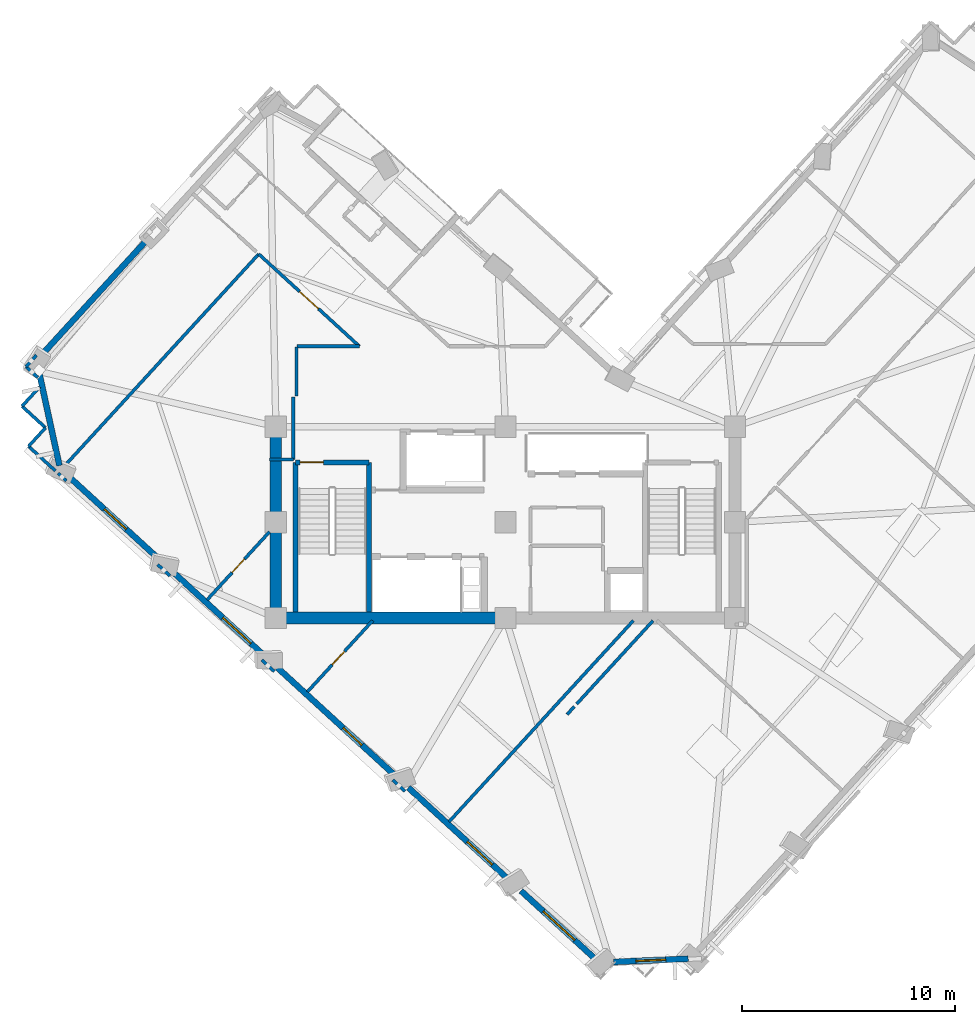
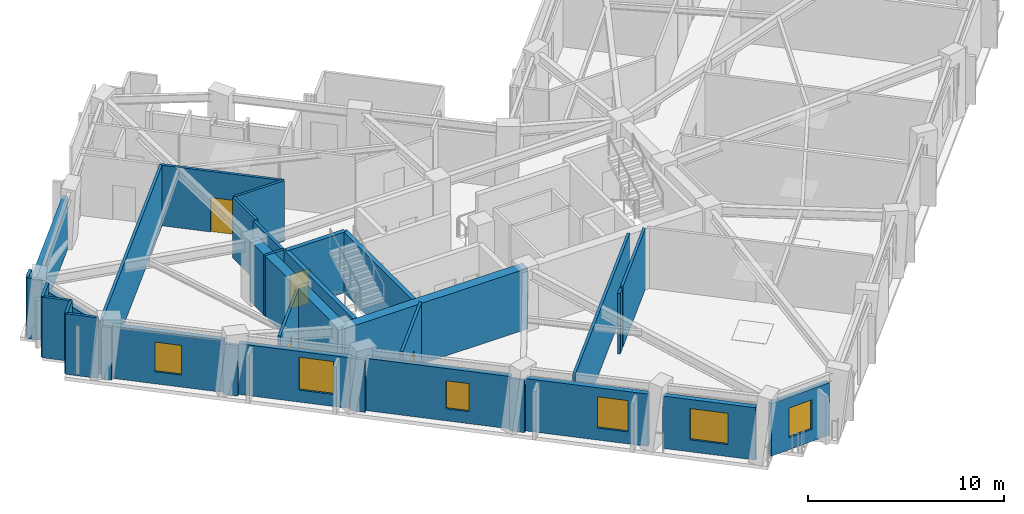
# One storey, part 4 of 12: 34 walls, 6 windows, 4 doors, 10 openings.
"""IFC4 building model written with IfcOpenShell, lengths in metres."""

from ifc_helpers import new_model, si_unit, direction, frame, frame_2d, origin, place, context, subcontext, project, spatial, rectangle, extrude, material, layer, layer_set, type_object, element, fill, save


model = new_model("IFC4")

# Units and contexts
model_context = context("Model", 3, precision=1e-05, world=origin(), true_north=direction((0.0, 1.0)))
body_context = subcontext(model_context, "Body", "Model", "MODEL_VIEW")
ifc_project = project(units=[si_unit("LENGTHUNIT", "METRE"), si_unit("AREAUNIT", "SQUARE_METRE"), si_unit("VOLUMEUNIT", "CUBIC_METRE"), si_unit("PLANEANGLEUNIT", "RADIAN"), si_unit("MASSUNIT", "GRAM", prefix="KILO")], contexts=[model_context])

# Site, building, storey
site_placement = place(None, origin())
site = spatial("IfcSite", under=ifc_project, at=site_placement, CompositionType="ELEMENT")
building_placement = place(site_placement, origin())
building = spatial("IfcBuilding", under=site, at=building_placement, Name="Gaonmaruhae Medical Tower", CompositionType="ELEMENT")
storey_placement = place(building_placement, frame((0.0, 0.0, 227.199951171875)))
storey = spatial("IfcBuildingStorey", under=building, at=storey_placement, Name="L54", CompositionType="ELEMENT", Elevation=227.199951171875)

# Walls
ifc_material_1 = material(Name="Concrete C50/60", Category="concrete")
ifc_layer_1 = layer(ifc_material_1, 0.550048828125)
ifc_layer_set_1 = layer_set([ifc_layer_1], Name="Concrete C50/60")
wall_type_1 = type_object("IfcWallType", Name="CW-550 Mid-High Core Shear Wall", PredefinedType="SHEAR", material=ifc_layer_set_1)
wall_1_placement = place(storey_placement, frame((14.0, 7.800048828125, 0.0), z_axis=(0.0, 0.0, 1.0), x_axis=(1.0, 0.0, 0.0)))
element("IfcWall", 1, at=wall_1_placement, inside=storey, type_object=wall_type_1, Name="L54 Core Shear Wall CSW-S1", PredefinedType="SHEAR", context=body_context, shape_type="SweptSolid", body=[
    extrude(rectangle(XDim=10.800048828125, YDim=0.550048828125, at=frame_2d((5.39990234375, 0.0))), origin(), (0.0, 0.0, 1.0), 3.780029296875),
])
wall_2_placement = place(storey_placement, frame((14.0, 16.800048828125, 0.0), z_axis=(0.0, 0.0, 1.0), x_axis=(0.0, -1.0, 0.0)))
element("IfcWall", 2, at=wall_2_placement, inside=storey, type_object=wall_type_1, Name="L54 Core Shear Wall CSW-W1", PredefinedType="SHEAR", context=body_context, shape_type="SweptSolid", body=[
    extrude(rectangle(XDim=9.0, YDim=0.550048828125, at=frame_2d((4.5, 0.0))), origin(), (0.0, 0.0, 1.0), 3.780029296875),
])
ifc_material_2 = material(Name="Precast concrete C45/55", Category="concrete")
ifc_layer_2 = layer(ifc_material_2, 0.280029296875)
ifc_layer_set_2 = layer_set([ifc_layer_2], Name="Precast concrete C45/55")
wall_type_2 = type_object("IfcWallType", Name="EW-280 Upper Precast Masonry-Frame Facade Wall", PredefinedType="SOLIDWALL", material=ifc_layer_set_2)
wall_3_placement = place(storey_placement, frame((2.864501953125, 20.047607421875, 0.0), z_axis=(0.0, 0.0, 1.0), x_axis=(0.675593159299, 0.73727463208, 0.0)))
element("IfcWall", 3, at=wall_3_placement, inside=storey, type_object=wall_type_2, Name="L54 Precast Masonry-Frame Wall N02-N03", PredefinedType="SOLIDWALL", context=body_context, shape_type="SweptSolid", body=[
    extrude(rectangle(XDim=7.48486328125, YDim=0.280029296875, at=frame_2d((3.742431640625, 0.0))), origin(), (0.0, 0.0, 1.0), 3.26513671875),
])
wall_4_placement = place(storey_placement, frame((3.819091796875, 14.965576171875, 0.0), z_axis=(0.0, 0.0, 1.0), x_axis=(-0.212735453501, 0.977109833552, 0.0)))
element("IfcWall", 4, at=wall_4_placement, inside=storey, type_object=wall_type_2, Name="L54 Precast Masonry-Frame Wall N03-W01", PredefinedType="SOLIDWALL", context=body_context, shape_type="SweptSolid", body=[
    extrude(rectangle(XDim=4.407958984375, YDim=0.280029296875, at=frame_2d((2.2041015625, 0.0))), origin(), (0.0, 0.0, 1.0), 3.26513671875),
])

# Wall, opening, window
wall_5_placement = place(storey_placement, frame((8.593994140625, 10.482177734375, 0.0), z_axis=(0.0, 0.0, 1.0), x_axis=(-0.73727406181, 0.675593781634, 0.0)))
wall_5 = element("IfcWall", 5, at=wall_5_placement, inside=storey, type_object=wall_type_2, Name="L54 Precast Masonry-Frame Wall W01-W02", PredefinedType="SOLIDWALL", context=body_context, shape_type="SweptSolid", body=[
    extrude(rectangle(XDim=5.830322265625, YDim=0.280029296875, at=frame_2d((2.9150390625, 0.0))), origin(), (0.0, 0.0, 1.0), 3.26513671875),
])
opening_1_placement = place(wall_5_placement, frame((2.21142578125, 0.0, 0.75)))
opening_1 = element("IfcOpeningElement", 6, at=opening_1_placement, cuts=wall_5, Name="Opening WN-03", PredefinedType="OPENING", context=body_context, shape_type="SweptSolid", body=[
    extrude(rectangle(XDim=1.39990234375, YDim=1.85009765625, at=frame_2d((0.699951171875, 0.925048828125))), frame((0.0, 0.14990234375, 0.0), z_axis=(0.0, -1.0, 0.0), x_axis=(1.0, 0.0, 0.0)), (0.0, 0.0, 1.0), 0.300048828125),
])
ifc_material_3 = material(Name="Anodised aluminium and Low-E double glazing", Category="aluminium")
window_type_1 = type_object("IfcWindowType", Name="WN-03 Isolation Ward Punched Window 1400x1850", PartitioningType="SINGLE_PANEL", PredefinedType="WINDOW", material=ifc_material_3)
window_1_placement = place(opening_1_placement, origin())
window_1 = element("IfcWindow", 7, at=window_1_placement, inside=storey, type_object=window_type_1, Name="L54 Modular Facade Window W01", OverallHeight=1.85009765625, OverallWidth=1.39990234375, PartitioningType="SINGLE_PANEL", PredefinedType="WINDOW", context=body_context, shape_type="SweptSolid", body=[
    extrude(rectangle(XDim=1.39990234375, YDim=1.85009765625, at=frame_2d((0.699951171875, 0.925048828125))), frame((0.0, 0.030029296875, 0.0), z_axis=(0.0, -1.0, 0.0), x_axis=(1.0, 0.0, 0.0)), (0.0, 0.0, 1.0), 0.06005859375),
])
fill(opening_1, window_1)

wall_6_placement = place(storey_placement, frame((13.4921875, 5.99365234375, 0.0), z_axis=(0.0, 0.0, 1.0), x_axis=(-0.73726134104, 0.675607663521, 0.0)))
wall_6 = element("IfcWall", 8, at=wall_6_placement, inside=storey, type_object=wall_type_2, Name="L54 Precast Masonry-Frame Wall W02-W03", PredefinedType="SOLIDWALL", context=body_context, shape_type="SweptSolid", body=[
    extrude(rectangle(XDim=5.860595703125, YDim=0.280029296875, at=frame_2d((2.93017578125, 0.0))), origin(), (0.0, 0.0, 1.0), 3.1650390625),
])
opening_2_placement = place(wall_6_placement, frame((0.897705078125, 0.0, 0.75)))
opening_2 = element("IfcOpeningElement", 9, at=opening_2_placement, cuts=wall_6, Name="Opening WN-04", PredefinedType="OPENING", context=body_context, shape_type="SweptSolid", body=[
    extrude(rectangle(XDim=1.800048828125, YDim=2.050048828125, at=frame_2d((0.89990234375, 1.02490234375))), frame((0.0, 0.14990234375, 0.0), z_axis=(0.0, -1.0, 0.0), x_axis=(1.0, 0.0, 0.0)), (0.0, 0.0, 1.0), 0.300048828125),
])
window_type_2 = type_object("IfcWindowType", Name="WN-04 Clinic & Consult Punched Window 1800x2050", PartitioningType="SINGLE_PANEL", PredefinedType="WINDOW", material=ifc_material_3)
window_2_placement = place(opening_2_placement, origin())
window_2 = element("IfcWindow", 10, at=window_2_placement, inside=storey, type_object=window_type_2, Name="L54 Modular Facade Window W02", OverallHeight=2.050048828125, OverallWidth=1.800048828125, PartitioningType="SINGLE_PANEL", PredefinedType="WINDOW", context=body_context, shape_type="SweptSolid", body=[
    extrude(rectangle(XDim=1.800048828125, YDim=2.050048828125, at=frame_2d((0.89990234375, 1.02490234375))), frame((0.0, 0.030029296875, 0.0), z_axis=(0.0, -1.0, 0.0), x_axis=(1.0, 0.0, 0.0)), (0.0, 0.0, 1.0), 0.06005859375),
])
fill(opening_2, window_2)

wall_7_placement = place(storey_placement, frame((19.65087890625, 0.3505859375, 0.0), z_axis=(0.0, 0.0, 1.0), x_axis=(-0.737296247066, 0.675569570113, 0.0)))
wall_7 = element("IfcWall", 11, at=wall_7_placement, inside=storey, type_object=wall_type_2, Name="L54 Precast Masonry-Frame Wall W03-W04", PredefinedType="SOLIDWALL", context=body_context, shape_type="SweptSolid", body=[
    extrude(rectangle(XDim=7.558349609375, YDim=0.280029296875, at=frame_2d((3.779296875, 0.0))), origin(), (0.0, 0.0, 1.0), 3.26513671875),
])
opening_3_placement = place(wall_7_placement, frame((2.17529296875, 0.0, 0.75)))
opening_3 = element("IfcOpeningElement", 12, at=opening_3_placement, cuts=wall_7, Name="Opening WN-05", PredefinedType="OPENING", context=body_context, shape_type="SweptSolid", body=[
    extrude(rectangle(XDim=1.199951171875, YDim=1.75, at=frame_2d((0.60009765625, 0.875))), frame((0.0, 0.14990234375, 0.0), z_axis=(0.0, -1.0, 0.0), x_axis=(1.0, 0.0, 0.0)), (0.0, 0.0, 1.0), 0.300048828125),
])
window_type_3 = type_object("IfcWindowType", Name="WN-05 Support & Staff Punched Window 1200x1750", PartitioningType="SINGLE_PANEL", PredefinedType="WINDOW", material=ifc_material_3)
window_3_placement = place(opening_3_placement, origin())
window_3 = element("IfcWindow", 13, at=window_3_placement, inside=storey, type_object=window_type_3, Name="L54 Modular Facade Window W03", OverallHeight=1.75, OverallWidth=1.199951171875, PartitioningType="SINGLE_PANEL", PredefinedType="WINDOW", context=body_context, shape_type="SweptSolid", body=[
    extrude(rectangle(XDim=1.199951171875, YDim=1.75, at=frame_2d((0.60009765625, 0.875))), frame((0.0, 0.030029296875, 0.0), z_axis=(0.0, -1.0, 0.0), x_axis=(1.0, 0.0, 0.0)), (0.0, 0.0, 1.0), 0.06005859375),
])
fill(opening_3, window_3)

wall_8_placement = place(storey_placement, frame((24.968505859375, -4.522216796875, 0.0), z_axis=(0.0, 0.0, 1.0), x_axis=(-0.737269269684, 0.675599011234, 0.0)))
wall_8 = element("IfcWall", 14, at=wall_8_placement, inside=storey, type_object=wall_type_2, Name="L54 Precast Masonry-Frame Wall W04-W05", PredefinedType="SOLIDWALL", context=body_context, shape_type="SweptSolid", body=[
    extrude(rectangle(XDim=6.425048828125, YDim=0.280029296875, at=frame_2d((3.21240234375, 0.0))), origin(), (0.0, 0.0, 1.0), 3.26513671875),
])
opening_4_placement = place(wall_8_placement, frame((1.065185546875, 0.0, 0.75)))
opening_4 = element("IfcOpeningElement", 15, at=opening_4_placement, cuts=wall_8, Name="Opening WN-01", PredefinedType="OPENING", context=body_context, shape_type="SweptSolid", body=[
    extrude(rectangle(XDim=1.60009765625, YDim=1.949951171875, at=frame_2d((0.800048828125, 0.97509765625))), frame((0.0, 0.14990234375, 0.0), z_axis=(0.0, -1.0, 0.0), x_axis=(1.0, 0.0, 0.0)), (0.0, 0.0, 1.0), 0.300048828125),
])
window_type_4 = type_object("IfcWindowType", Name="WN-01 Ward Punched Acoustic Window 1600x1950", PartitioningType="SINGLE_PANEL", PredefinedType="WINDOW", material=ifc_material_3)
window_4_placement = place(opening_4_placement, origin())
window_4 = element("IfcWindow", 16, at=window_4_placement, inside=storey, type_object=window_type_4, Name="L54 Modular Facade Window W04", OverallHeight=1.949951171875, OverallWidth=1.60009765625, PartitioningType="SINGLE_PANEL", PredefinedType="WINDOW", context=body_context, shape_type="SweptSolid", body=[
    extrude(rectangle(XDim=1.60009765625, YDim=1.949951171875, at=frame_2d((0.800048828125, 0.97509765625))), frame((0.0, 0.030029296875, 0.0), z_axis=(0.0, -1.0, 0.0), x_axis=(1.0, 0.0, 0.0)), (0.0, 0.0, 1.0), 0.06005859375),
])
fill(opening_4, window_4)

wall_9_placement = place(storey_placement, frame((29.109619140625, -8.31689453125, 0.0), z_axis=(0.0, 0.0, 1.0), x_axis=(-0.737281444327, 0.67558572502, 0.0)))
wall_9 = element("IfcWall", 17, at=wall_9_placement, inside=storey, type_object=wall_type_2, Name="L54 Precast Masonry-Frame Wall W05-W06", PredefinedType="SOLIDWALL", context=body_context, shape_type="SweptSolid", body=[
    extrude(rectangle(XDim=4.85546875, YDim=0.280029296875, at=frame_2d((2.427734375, 0.0))), origin(), (0.0, 0.0, 1.0), 3.26513671875),
])
opening_5_placement = place(wall_9_placement, frame((1.4326171875, 0.0, 0.75)))
opening_5 = element("IfcOpeningElement", 18, at=opening_5_placement, cuts=wall_9, Name="Opening WN-02", PredefinedType="OPENING", context=body_context, shape_type="SweptSolid", body=[
    extrude(rectangle(XDim=2.0, YDim=1.949951171875, at=frame_2d((1.0, 0.97509765625))), frame((0.0, 0.14990234375, 0.0), z_axis=(0.0, -1.0, 0.0), x_axis=(1.0, 0.0, 0.0)), (0.0, 0.0, 1.0), 0.300048828125),
])
window_type_5 = type_object("IfcWindowType", Name="WN-02 Double-Bed Ward Punched Window 2000x1950", PartitioningType="SINGLE_PANEL", PredefinedType="WINDOW", material=ifc_material_3)
window_5_placement = place(opening_5_placement, origin())
window_5 = element("IfcWindow", 19, at=window_5_placement, inside=storey, type_object=window_type_5, Name="L54 Modular Facade Window W05", OverallHeight=1.949951171875, OverallWidth=2.0, PartitioningType="SINGLE_PANEL", PredefinedType="WINDOW", context=body_context, shape_type="SweptSolid", body=[
    extrude(rectangle(XDim=2.0, YDim=1.949951171875, at=frame_2d((1.0, 0.97509765625))), frame((0.0, 0.030029296875, 0.0), z_axis=(0.0, -1.0, 0.0), x_axis=(1.0, 0.0, 0.0)), (0.0, 0.0, 1.0), 0.06005859375),
])
fill(opening_5, window_5)

wall_10_placement = place(storey_placement, frame((33.396240234375, -8.226806640625, 0.0), z_axis=(0.0, 0.0, 1.0), x_axis=(-0.999048291702, -0.04361778132, 0.0)))
wall_10 = element("IfcWall", 20, at=wall_10_placement, inside=storey, type_object=wall_type_2, Name="L54 Precast Masonry-Frame Wall W06-S01", PredefinedType="SOLIDWALL", context=body_context, shape_type="SweptSolid", body=[
    extrude(rectangle(XDim=3.520751953125, YDim=0.280029296875, at=frame_2d((1.76025390625, 0.0))), origin(), (0.0, 0.0, 1.0), 3.26513671875),
])
opening_6_placement = place(wall_10_placement, frame((1.059814453125, 0.0, 0.75)))
opening_6 = element("IfcOpeningElement", 21, at=opening_6_placement, cuts=wall_10, Name="Opening WN-03", PredefinedType="OPENING", context=body_context, shape_type="SweptSolid", body=[
    extrude(rectangle(XDim=1.39990234375, YDim=1.85009765625, at=frame_2d((0.699951171875, 0.925048828125))), frame((0.0, 0.14990234375, 0.0), z_axis=(0.0, -1.0, 0.0), x_axis=(1.0, 0.0, 0.0)), (0.0, 0.0, 1.0), 0.300048828125),
])
window_6_placement = place(opening_6_placement, origin())
window_6 = element("IfcWindow", 22, at=window_6_placement, inside=storey, type_object=window_type_1, Name="L54 Modular Facade Window W06", OverallHeight=1.85009765625, OverallWidth=1.39990234375, PartitioningType="SINGLE_PANEL", PredefinedType="WINDOW", context=body_context, shape_type="SweptSolid", body=[
    extrude(rectangle(XDim=1.39990234375, YDim=1.85009765625, at=frame_2d((0.699951171875, 0.925048828125))), frame((0.0, 0.030029296875, 0.0), z_axis=(0.0, -1.0, 0.0), x_axis=(1.0, 0.0, 0.0)), (0.0, 0.0, 1.0), 0.06005859375),
])
fill(opening_6, window_6)

# Walls
ifc_material_4 = material(Name="Gypsum board partition", Category="gypsum")
ifc_layer_3 = layer(ifc_material_4, 0.14990234375)
ifc_layer_set_3 = layer_set([ifc_layer_3], Name="Gypsum board partition")
wall_type_3 = type_object("IfcWallType", Name="PW-150 Rated Clinical Corridor Partition", PredefinedType="PARTITIONING", material=ifc_layer_set_3)
wall_11_placement = place(storey_placement, frame((28.14892578125, 3.7529296875, 0.0), z_axis=(0.0, 0.0, 1.0), x_axis=(0.675493888576, 0.737365585376, 0.0)))
element("IfcWall", 23, at=wall_11_placement, inside=storey, type_object=wall_type_3, Name="L54 Interior Partition L54-SUP02-9", PredefinedType="PARTITIONING", context=body_context, shape_type="SweptSolid", body=[
    extrude(rectangle(XDim=5.319091796875, YDim=0.14990234375, at=frame_2d((2.65966796875, 0.0))), origin(), (0.0, 0.0, 1.0), 3.780029296875),
])
wall_12_placement = place(storey_placement, frame((20.075927734375, -0.35107421875, 0.0), z_axis=(0.0, 0.0, 1.0), x_axis=(-0.737424283602, 0.67542980831, 0.0)))
element("IfcWall", 24, at=wall_12_placement, inside=storey, type_object=wall_type_3, Name="L54 Interior Partition L54-WOF07-27", PredefinedType="PARTITIONING", context=body_context, shape_type="SweptSolid", body=[
    extrude(rectangle(XDim=0.78759765625, YDim=0.14990234375, at=frame_2d((0.393798828125, 0.0))), origin(), (0.0, 0.0, 1.0), 3.26513671875),
])

# Wall, opening, door
wall_13_placement = place(storey_placement, frame((15.48291015625, 4.324951171875, 0.0), z_axis=(0.0, 0.0, 1.0), x_axis=(0.675505602281, 0.737354854387, 0.0)))
wall_13 = element("IfcWall", 25, at=wall_13_placement, inside=storey, type_object=wall_type_3, Name="L54 Interior Partition L54-WOF07-28", PredefinedType="PARTITIONING", context=body_context, shape_type="SweptSolid", body=[
    extrude(rectangle(XDim=4.54345703125, YDim=0.14990234375, at=frame_2d((2.271728515625, 0.0))), origin(), (0.0, 0.0, 1.0), 3.780029296875),
])
opening_7_placement = place(wall_13_placement, frame((1.72314453125, 0.0, 0.0)))
opening_7 = element("IfcOpeningElement", 26, at=opening_7_placement, cuts=wall_13, Name="Opening AD-01", PredefinedType="OPENING", context=body_context, shape_type="SweptSolid", body=[
    extrude(rectangle(XDim=0.860107421875, YDim=2.06005859375, at=frame_2d((0.43017578125, 1.030029296875))), frame((0.0, 0.0849609375, 0.0), z_axis=(0.0, -1.0, 0.0), x_axis=(1.0, 0.0, 0.0)), (0.0, 0.0, 1.0), 0.169921875),
])
ifc_material_5 = material(Name="Powder-coated steel access door", Category="steel")
door_type_1 = type_object("IfcDoorType", Name="AD-01 Riser & Closet Access Fire Door 860x2060", OperationType="NOTDEFINED", PredefinedType="DOOR", material=ifc_material_5)
door_1_placement = place(opening_7_placement, origin())
door_1 = element("IfcDoor", 27, at=door_1_placement, inside=storey, type_object=door_type_1, Name="L54 Ward Physician Reporting Office Sliding Door", OperationType="SLIDING_TO_LEFT", OverallHeight=2.06005859375, OverallWidth=0.860107421875, PredefinedType="DOOR", context=body_context, shape_type="SweptSolid", body=[
    extrude(rectangle(XDim=0.860107421875, YDim=2.06005859375, at=frame_2d((0.43017578125, 1.030029296875))), frame((0.0, 0.02490234375, 0.0), z_axis=(0.0, -1.0, 0.0), x_axis=(1.0, 0.0, 0.0)), (0.0, 0.0, 1.0), 0.050048828125),
])
fill(opening_7, door_1)

# Walls
wall_14_placement = place(storey_placement, frame((30.81298828125, 7.675048828125, 0.0), z_axis=(0.0, 0.0, 1.0), x_axis=(-0.675559122353, -0.73730582, 0.0)))
element("IfcWall", 28, at=wall_14_placement, inside=storey, type_object=wall_type_3, Name="L54 Interior Partition L54-WOF07-29", PredefinedType="PARTITIONING", context=body_context, shape_type="SweptSolid", body=[
    extrude(rectangle(XDim=12.826416015625, YDim=0.14990234375, at=frame_2d((6.4130859375, 0.0))), origin(), (0.0, 0.0, 1.0), 3.780029296875),
])
wall_15_placement = place(storey_placement, frame((13.923095703125, 5.287109375, 0.0), z_axis=(0.0, 0.0, 1.0), x_axis=(-0.737447304221, 0.675404673879, 0.0)))
element("IfcWall", 29, at=wall_15_placement, inside=storey, type_object=wall_type_3, Name="L54 Interior Partition L54-WOF08-30", PredefinedType="PARTITIONING", context=body_context, shape_type="SweptSolid", body=[
    extrude(rectangle(XDim=0.794921875, YDim=0.14990234375, at=frame_2d((0.3974609375, 0.0))), origin(), (0.0, 0.0, 1.0), 3.26513671875),
])

# Wall, opening, door
wall_16_placement = place(storey_placement, frame((10.763916015625, 8.64990234375, 0.0), z_axis=(0.0, 0.0, 1.0), x_axis=(0.675704273742, 0.737172798228, 0.0)))
wall_16 = element("IfcWall", 30, at=wall_16_placement, inside=storey, type_object=wall_type_3, Name="L54 Interior Partition L54-WOF08-31", PredefinedType="PARTITIONING", context=body_context, shape_type="SweptSolid", body=[
    extrude(rectangle(XDim=4.34521484375, YDim=0.14990234375, at=frame_2d((2.172607421875, 0.0))), origin(), (0.0, 0.0, 1.0), 3.780029296875),
])
opening_8_placement = place(wall_16_placement, frame((1.742431640625, 0.0, 0.0)))
opening_8 = element("IfcOpeningElement", 31, at=opening_8_placement, cuts=wall_16, Name="Opening AD-01", PredefinedType="OPENING", context=body_context, shape_type="SweptSolid", body=[
    extrude(rectangle(XDim=0.860107421875, YDim=2.06005859375, at=frame_2d((0.43017578125, 1.030029296875))), frame((0.0, 0.0849609375, 0.0), z_axis=(0.0, -1.0, 0.0), x_axis=(1.0, 0.0, 0.0)), (0.0, 0.0, 1.0), 0.169921875),
])
door_2_placement = place(opening_8_placement, origin())
door_2 = element("IfcDoor", 32, at=door_2_placement, inside=storey, type_object=door_type_1, Name="L54 Ward Physician Reporting Office Sliding Door", OperationType="SLIDING_TO_LEFT", OverallHeight=2.06005859375, OverallWidth=0.860107421875, PredefinedType="DOOR", context=body_context, shape_type="SweptSolid", body=[
    extrude(rectangle(XDim=0.860107421875, YDim=2.06005859375, at=frame_2d((0.43017578125, 1.030029296875))), frame((0.0, 0.02490234375, 0.0), z_axis=(0.0, -1.0, 0.0), x_axis=(1.0, 0.0, 0.0)), (0.0, 0.0, 1.0), 0.050048828125),
])
fill(opening_8, door_2)

# Walls
wall_17_placement = place(storey_placement, frame((14.969970703125, 20.550048828125, 0.0), z_axis=(0.0, 0.0, 1.0), x_axis=(0.0, -1.0, 0.0)))
element("IfcWall", 33, at=wall_17_placement, inside=storey, type_object=wall_type_3, Name="L54 Interior Partition L54-WOF09-32", PredefinedType="PARTITIONING", context=body_context, shape_type="SweptSolid", body=[
    extrude(rectangle(XDim=2.320068359375, YDim=0.14990234375, at=frame_2d((1.16015625, 0.0))), origin(), (0.0, 0.0, 1.0), 3.780029296875),
])
wall_18_placement = place(storey_placement, frame((14.820068359375, 18.199951171875, 0.0), z_axis=(0.0, 0.0, 1.0), x_axis=(0.0, -1.0, 0.0)))
element("IfcWall", 34, at=wall_18_placement, inside=storey, type_object=wall_type_3, Name="L54 Interior Partition L54-WOF09-33", PredefinedType="PARTITIONING", context=body_context, shape_type="SweptSolid", body=[
    extrude(rectangle(XDim=2.93994140625, YDim=0.14990234375, at=frame_2d((1.469970703125, 0.0))), origin(), (0.0, 0.0, 1.0), 3.780029296875),
])
wall_19_placement = place(storey_placement, frame((14.820068359375, 15.260009765625, 0.0), z_axis=(0.0, 0.0, 1.0), x_axis=(-1.0, 0.0, 0.0)))
element("IfcWall", 35, at=wall_19_placement, inside=storey, type_object=wall_type_3, Name="L54 Interior Partition L54-WOF09-34", PredefinedType="PARTITIONING", context=body_context, shape_type="SweptSolid", body=[
    extrude(rectangle(XDim=1.1201171875, YDim=0.14990234375, at=frame_2d((0.56005859375, 0.0))), origin(), (0.0, 0.0, 1.0), 3.780029296875),
])
wall_20_placement = place(storey_placement, frame((9.01611328125, 9.782958984375, 0.0), z_axis=(0.0, 0.0, 1.0), x_axis=(-0.737722877252, 0.675103663431, 0.0)))
element("IfcWall", 36, at=wall_20_placement, inside=storey, type_object=wall_type_3, Name="L54 Interior Partition L54-WOF09-35", PredefinedType="PARTITIONING", context=body_context, shape_type="SweptSolid", body=[
    extrude(rectangle(XDim=0.78369140625, YDim=0.14990234375, at=frame_2d((0.391845703125, 0.0))), origin(), (0.0, 0.0, 1.0), 3.1650390625),
])
wall_21_placement = place(storey_placement, frame((4.139892578125, 14.2509765625, 0.0), z_axis=(0.0, 0.0, 1.0), x_axis=(-0.737211336112, 0.675662227676, 0.0)))
element("IfcWall", 37, at=wall_21_placement, inside=storey, type_object=wall_type_3, Name="L54 Interior Partition L54-WOF09-36", PredefinedType="PARTITIONING", context=body_context, shape_type="SweptSolid", body=[
    extrude(rectangle(XDim=0.531494140625, YDim=0.14990234375, at=frame_2d((0.265625, 0.0))), origin(), (0.0, 0.0, 1.0), 3.26513671875),
])
wall_22_placement = place(storey_placement, frame((3.748046875, 14.610107421875, 0.0), z_axis=(0.0, 0.0, 1.0), x_axis=(0.675576742694, 0.737289674911, 0.0)))
element("IfcWall", 38, at=wall_22_placement, inside=storey, type_object=wall_type_3, Name="L54 Interior Partition L54-WOF09-37", PredefinedType="PARTITIONING", context=body_context, shape_type="SweptSolid", body=[
    extrude(rectangle(XDim=13.980712890625, YDim=0.14990234375, at=frame_2d((6.990234375, 0.0))), origin(), (0.0, 0.0, 1.0), 3.780029296875),
])

# Wall, opening, door
wall_23_placement = place(storey_placement, frame((13.193115234375, 24.91796875, 0.0), z_axis=(0.0, 0.0, 1.0), x_axis=(0.737270925152, -0.675597204646, 0.0)))
wall_23 = element("IfcWall", 39, at=wall_23_placement, inside=storey, type_object=wall_type_3, Name="L54 Interior Partition L54-WOF09-38", PredefinedType="PARTITIONING", context=body_context, shape_type="SweptSolid", body=[
    extrude(rectangle(XDim=6.4208984375, YDim=0.14990234375, at=frame_2d((3.21044921875, 0.0))), origin(), (0.0, 0.0, 1.0), 3.780029296875),
])
opening_9_placement = place(wall_23_placement, frame((2.610595703125, 0.0, 0.0)))
opening_9 = element("IfcOpeningElement", 40, at=opening_9_placement, cuts=wall_23, Name="Opening CD-02", PredefinedType="OPENING", context=body_context, shape_type="SweptSolid", body=[
    extrude(rectangle(XDim=1.199951171875, YDim=2.14990234375, at=frame_2d((0.60009765625, 1.074951171875))), frame((0.0, 0.0849609375, 0.0), z_axis=(0.0, -1.0, 0.0), x_axis=(1.0, 0.0, 0.0)), (0.0, 0.0, 1.0), 0.169921875),
])
ifc_material_6 = material(Name="Antimicrobial laminate timber fire door", Category="wood")
door_type_2 = type_object("IfcDoorType", Name="CD-02 Clinical Treatment & Procedure Door 1200x2150", OperationType="NOTDEFINED", PredefinedType="DOOR", material=ifc_material_6)
door_3_placement = place(opening_9_placement, origin())
door_3 = element("IfcDoor", 41, at=door_3_placement, inside=storey, type_object=door_type_2, Name="L54 Ward Physician Reporting Office Door", OperationType="SINGLE_SWING_LEFT", OverallHeight=2.14990234375, OverallWidth=1.199951171875, PredefinedType="DOOR", context=body_context, shape_type="SweptSolid", body=[
    extrude(rectangle(XDim=1.199951171875, YDim=2.14990234375, at=frame_2d((0.60009765625, 1.074951171875))), frame((0.0, 0.02490234375, 0.0), z_axis=(0.0, -1.0, 0.0), x_axis=(1.0, 0.0, 0.0)), (0.0, 0.0, 1.0), 0.050048828125),
])
fill(opening_9, door_3)

# Walls
wall_24_placement = place(storey_placement, frame((17.927001953125, 20.580078125, 0.0), z_axis=(0.0, 0.0, 1.0), x_axis=(-1.0, 0.0, 0.0)))
element("IfcWall", 42, at=wall_24_placement, inside=storey, type_object=wall_type_3, Name="L54 Interior Partition L54-WOF09-39", PredefinedType="PARTITIONING", context=body_context, shape_type="SweptSolid", body=[
    extrude(rectangle(XDim=2.929931640625, YDim=0.14990234375, at=frame_2d((1.46484375, 0.0))), origin(), (0.0, 0.0, 1.0), 3.780029296875),
])
wall_25_placement = place(storey_placement, frame((2.056884765625, 17.760986328125, 0.0), z_axis=(0.0, 0.0, 1.0), x_axis=(0.676188837804, 0.736728345884, 0.0)))
element("IfcWall", 43, at=wall_25_placement, inside=storey, type_object=wall_type_3, Name="L54 Interior Partition L54-WOF10-40", PredefinedType="PARTITIONING", context=body_context, shape_type="SweptSolid", body=[
    extrude(rectangle(XDim=1.238037109375, YDim=0.14990234375, at=frame_2d((0.619140625, 0.0))), origin(), (0.0, 0.0, 1.0), 3.780029296875),
])
wall_26_placement = place(storey_placement, frame((2.798095703125, 19.116943359375, 0.0), z_axis=(0.0, 0.0, 1.0), x_axis=(-0.737681160119, 0.675149247208, 0.0)))
element("IfcWall", 44, at=wall_26_placement, inside=storey, type_object=wall_type_3, Name="L54 Interior Partition L54-WOF10-41", PredefinedType="PARTITIONING", context=body_context, shape_type="SweptSolid", body=[
    extrude(rectangle(XDim=0.74951171875, YDim=0.14990234375, at=frame_2d((0.374755859375, 0.0))), origin(), (0.0, 0.0, 1.0), 3.780029296875),
])
wall_27_placement = place(storey_placement, frame((2.2451171875, 19.623046875, 0.0), z_axis=(0.0, 0.0, 1.0), x_axis=(0.675543151001, 0.73732045349, 0.0)))
element("IfcWall", 45, at=wall_27_placement, inside=storey, type_object=wall_type_3, Name="L54 Interior Partition L54-WOF10-42", PredefinedType="PARTITIONING", context=body_context, shape_type="SweptSolid", body=[
    extrude(rectangle(XDim=0.731201171875, YDim=0.14990234375, at=frame_2d((0.36572265625, 0.0))), origin(), (0.0, 0.0, 1.0), 3.780029296875),
])
wall_28_placement = place(storey_placement, frame((3.6298828125, 14.718994140625, 0.0), z_axis=(0.0, 0.0, 1.0), x_axis=(-0.737337385288, 0.675524670354, 0.0)))
element("IfcWall", 46, at=wall_28_placement, inside=storey, type_object=wall_type_3, Name="L54 Interior Partition L54-WOF10-45", PredefinedType="PARTITIONING", context=body_context, shape_type="SweptSolid", body=[
    extrude(rectangle(XDim=1.714111328125, YDim=0.14990234375, at=frame_2d((0.85693359375, 0.0))), origin(), (0.0, 0.0, 1.0), 3.780029296875),
])
wall_29_placement = place(storey_placement, frame((2.365966796875, 15.876953125, 0.0), z_axis=(0.0, 0.0, 1.0), x_axis=(0.675499749295, 0.737360216382, 0.0)))
element("IfcWall", 47, at=wall_29_placement, inside=storey, type_object=wall_type_3, Name="L54 Interior Partition L54-WOF10-46", PredefinedType="PARTITIONING", context=body_context, shape_type="SweptSolid", body=[
    extrude(rectangle(XDim=1.179931640625, YDim=0.14990234375, at=frame_2d((0.58984375, 0.0))), origin(), (0.0, 0.0, 1.0), 3.780029296875),
])
wall_30_placement = place(storey_placement, frame((3.1630859375, 16.7470703125, 0.0), z_axis=(0.0, 0.0, 1.0), x_axis=(-0.737187906939, 0.675687790227, 0.0)))
element("IfcWall", 48, at=wall_30_placement, inside=storey, type_object=wall_type_3, Name="L54 Interior Partition L54-WOF10-47", PredefinedType="PARTITIONING", context=body_context, shape_type="SweptSolid", body=[
    extrude(rectangle(XDim=1.50048828125, YDim=0.14990234375, at=frame_2d((0.750244140625, 0.0))), origin(), (0.0, 0.0, 1.0), 3.780029296875),
])
wall_31_placement = place(storey_placement, frame((28.041015625, 3.635009765625, 0.0), z_axis=(0.0, 0.0, 1.0), x_axis=(-0.676071215319, -0.736836285627, 0.0)))
element("IfcWall", 49, at=wall_31_placement, inside=storey, type_object=wall_type_3, Name="L54 Interior Partition L54-RM01-83", PredefinedType="PARTITIONING", context=body_context, shape_type="SweptSolid", body=[
    extrude(rectangle(XDim=0.51025390625, YDim=0.14990234375, at=frame_2d((0.255126953125, 0.0))), origin(), (0.0, 0.0, 1.0), 3.780029296875),
])

# Wall, opening, door
ifc_layer_4 = layer(ifc_material_1, 0.239990234375)
ifc_layer_set_4 = layer_set([ifc_layer_4], Name="Concrete C50/60")
wall_type_4 = type_object("IfcWallType", Name="SW-240 Dogleg Stair Tight Shaft Wall", PredefinedType="SOLIDWALL", material=ifc_layer_set_4)
wall_32_placement = place(storey_placement, frame((14.919921875, 15.1201171875, 0.0), z_axis=(0.0, 0.0, 1.0), x_axis=(1.0, 0.0, 0.0)))
wall_32 = element("IfcWall", 50, at=wall_32_placement, inside=storey, type_object=wall_type_4, Name="L54 ST-01 Stair Shaft Wall SHW-ST-01-N", PredefinedType="SOLIDWALL", context=body_context, shape_type="SweptSolid", body=[
    extrude(rectangle(XDim=3.4599609375, YDim=0.239990234375, at=frame_2d((1.72998046875, 0.0))), origin(), (0.0, 0.0, 1.0), 3.780029296875),
])
opening_10_placement = place(wall_32_placement, frame((0.219970703125, 0.0, 0.0)))
opening_10 = element("IfcOpeningElement", 51, at=opening_10_placement, cuts=wall_32, Name="Opening FD-01", PredefinedType="OPENING", context=body_context, shape_type="SweptSolid", body=[
    extrude(rectangle(XDim=1.10009765625, YDim=2.14990234375, at=frame_2d((0.550048828125, 1.074951171875))), frame((0.0, 0.1298828125, 0.0), z_axis=(0.0, -1.0, 0.0), x_axis=(1.0, 0.0, 0.0)), (0.0, 0.0, 1.0), 0.260009765625),
])
ifc_material_7 = material(Name="Powder-coated steel fire door", Category="steel")
door_type_3 = type_object("IfcDoorType", Name="FD-01 Escape Stair Protected Fire Door 1100x2150", OperationType="NOTDEFINED", PredefinedType="DOOR", material=ifc_material_7)
door_4_placement = place(opening_10_placement, origin())
door_4 = element("IfcDoor", 52, at=door_4_placement, inside=storey, type_object=door_type_3, Name="L54 ST-01 Protected Escape Stair Door", OperationType="SINGLE_SWING_RIGHT", OverallHeight=2.14990234375, OverallWidth=1.10009765625, PredefinedType="DOOR", context=body_context, shape_type="SweptSolid", body=[
    extrude(rectangle(XDim=1.10009765625, YDim=2.14990234375, at=frame_2d((0.550048828125, 1.074951171875))), frame((0.0, 0.02490234375, 0.0), z_axis=(0.0, -1.0, 0.0), x_axis=(1.0, 0.0, 0.0)), (0.0, 0.0, 1.0), 0.050048828125),
])
fill(opening_10, door_4)

# Walls
for number, where, z_axis, x_axis, name in (
    (53, (18.3798828125, 15.1201171875, 0.0), (0.0, 0.0, 1.0), (0.0, -1.0, 0.0), "L54 ST-01 Stair Shaft Wall SHW-ST-01-E"),
    (54, (14.919921875, 8.074951171875, 0.0), (0.0, 0.0, 1.0), (0.0, 1.0, 0.0), "L54 ST-01 Stair Shaft Wall SHW-ST-01-W"),
):
    element("IfcWall", number, at=place(storey_placement, frame(where, z_axis=z_axis, x_axis=x_axis)), inside=storey, type_object=wall_type_4, Name=name, PredefinedType="SOLIDWALL", context=body_context, shape_type="SweptSolid", body=[
        extrude(rectangle(XDim=7.045166015625, YDim=0.239990234375, at=frame_2d((3.5224609375, 0.0))), origin(), (0.0, 0.0, 1.0), 3.780029296875),
    ])

save(model, "model.ifc")
